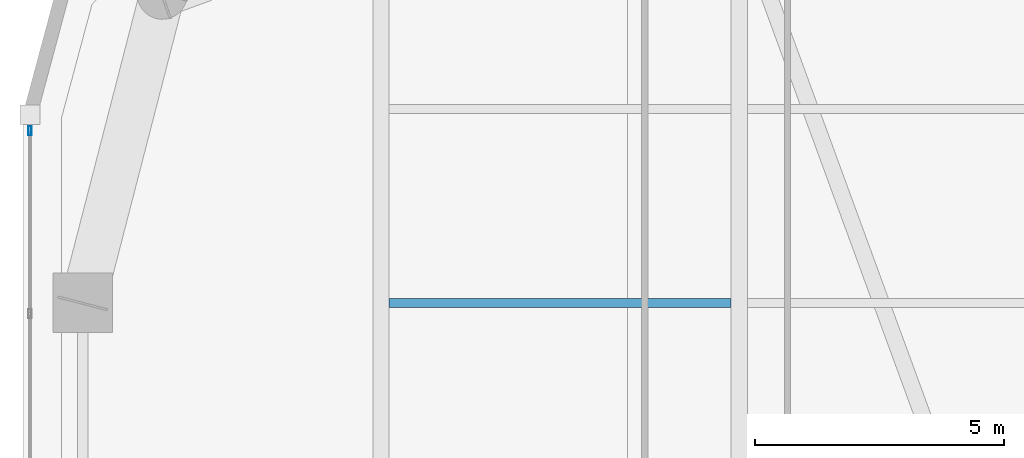
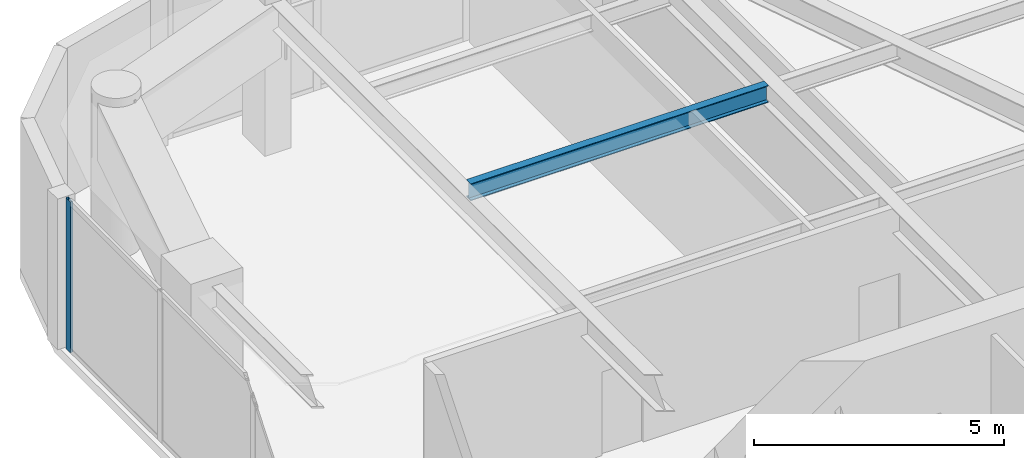
# One storey, part 8 of 21: 1 beam, 1 member, 1 element without a shape of its own.
"""IFC4 building model written with IfcOpenShell, lengths in metres."""

import ifcopenshell
import ifcopenshell.guid

model = None  # the IFC model being written
_history = None  # IfcOwnerHistory: only IFC2X3 demands one
_inside = {}  # id of a spatial element -> (the spatial element, [elements in it])
_under = {}  # id of a project, library or spatial element -> (it, [spatial elements below it])
_declared = {}  # id of a project -> (the project, [libraries it declares])
_typed = {}  # id of a type object -> (the type object, [elements of that type])
_made_of = {}  # id of a material, layer set ... -> (it, [elements and type objects made of it])


def new_model(schema):
    """Start an empty IFC model of exactly this schema.

    Asked for "IFC4X3", IfcOpenShell would pick the latest addendum, in which some entities
    have other attributes; the version numbers below select the first issue.
    IFC2X3 requires an IfcOwnerHistory on every rooted entity: one is made here for all.
    """
    global model, _history
    if schema == "IFC4X3":
        model = ifcopenshell.file(schema_version=(4, 3, 0, 0))
    else:
        model = ifcopenshell.file(schema=schema)
    _inside.clear()
    _under.clear()
    _declared.clear()
    _typed.clear()
    _made_of.clear()
    _history = None
    if model.schema == "IFC2X3":
        org = make("IfcOrganization", Name="unknown")
        user = make(
            "IfcPersonAndOrganization",
            ThePerson=make("IfcPerson", FamilyName="unknown"),
            TheOrganization=org,
        )
        app = make(
            "IfcApplication",
            ApplicationDeveloper=org,
            Version="unknown",
            ApplicationFullName="unknown",
            ApplicationIdentifier="unknown",
        )
        _history = make(
            "IfcOwnerHistory",
            OwningUser=user,
            OwningApplication=app,
            ChangeAction="ADDED",
            CreationDate=0,
        )
    return model


def make(cls, **values):
    """One entity of the class cls with the attributes given. An attribute that is None is left unset."""
    return model.create_entity(
        cls, **{name: value for name, value in values.items() if value is not None}
    )


def rooted(cls, **values):
    """An entity with a GlobalId (a new one), such as an element, a storey or a relation."""
    return make(cls, GlobalId=ifcopenshell.guid.new(), OwnerHistory=_history, **values)


def si_unit(unit_type, name, prefix=None):
    """IfcSIUnit, for example si_unit("LENGTHUNIT", "METRE", prefix="MILLI")."""
    return make("IfcSIUnit", UnitType=unit_type, Prefix=prefix, Name=name)


def assignment(units):
    """IfcUnitAssignment: the units of a project."""
    return None if units is None else make("IfcUnitAssignment", Units=units)


def point(xyz):
    """IfcCartesianPoint."""
    return None if xyz is None else make("IfcCartesianPoint", Coordinates=xyz)


def direction(xyz):
    """IfcDirection."""
    return None if xyz is None else make("IfcDirection", DirectionRatios=xyz)


def frame(location, z_axis=None, x_axis=None):
    """IfcAxis2Placement3D, a coordinate frame: its origin and axes. An axis left out is left unset."""
    return make(
        "IfcAxis2Placement3D",
        Location=point(location),
        Axis=direction(z_axis),
        RefDirection=direction(x_axis),
    )


def frame_2d(location, x_axis=None):
    """IfcAxis2Placement2D, a coordinate frame in the plane: its origin and x axis."""
    return make(
        "IfcAxis2Placement2D", Location=point(location), RefDirection=direction(x_axis)
    )


def origin():
    """The frame at (0, 0, 0) with its axes left unset."""
    return frame((0.0, 0.0, 0.0))


def origin_2d():
    """The frame at (0, 0) in the plane with its x axis left unset."""
    return frame_2d((0.0, 0.0))


def place(relative_to, where):
    """IfcLocalPlacement: puts the frame where relative to a parent placement (None: the world)."""
    return make(
        "IfcLocalPlacement", PlacementRelTo=relative_to, RelativePlacement=where
    )


def context(
    kind, dimensions, precision=None, world=None, true_north=None, identifier=None
):
    """IfcGeometricRepresentationContext, for example the 3D "Model" context."""
    return make(
        "IfcGeometricRepresentationContext",
        ContextIdentifier=identifier,
        ContextType=kind,
        CoordinateSpaceDimension=dimensions,
        Precision=precision,
        WorldCoordinateSystem=world,
        TrueNorth=true_north,
    )


def subcontext(parent, identifier, kind, view, scale=None):
    """IfcGeometricRepresentationSubContext, for example "Body" below "Model"."""
    return make(
        "IfcGeometricRepresentationSubContext",
        ContextIdentifier=identifier,
        ContextType=kind,
        ParentContext=parent,
        TargetScale=scale,
        TargetView=view,
    )


def project(units=None, contexts=None):
    """IfcProject with its units and contexts."""
    return rooted(
        "IfcProject",
        Name="project",
        RepresentationContexts=contexts,
        UnitsInContext=assignment(units),
    )


def spatial(cls, under=None, at=None, **own):
    """A site, building, storey or space (cls), placed at a placement, below another one or the project."""
    s = rooted(cls, ObjectPlacement=at, **own)
    if under is not None:
        _under.setdefault(under.id(), (under, []))[1].append(s)
    return s


def profile(cls, at=None, kind="AREA", **sizes):
    """A parametric profile (cls). Its sizes go by their IFC names, for example OverallWidth=200.0."""
    return make(cls, ProfileType=kind, Position=at, **sizes)


def hollow_rectangle(**sizes):
    """IfcRectangleHollowProfileDef."""
    return profile("IfcRectangleHollowProfileDef", **sizes)


def i_section(**sizes):
    """IfcIShapeProfileDef."""
    return profile("IfcIShapeProfileDef", **sizes)


def extrude(swept, where, along, depth):
    """IfcExtrudedAreaSolid: the profile swept, set in the frame where, extruded along a direction by depth."""
    return make(
        "IfcExtrudedAreaSolid",
        SweptArea=swept,
        Position=where,
        ExtrudedDirection=direction(along),
        Depth=depth,
    )


def shape(context_of_items, identifier, shape_type, items):
    """IfcShapeRepresentation: the items that make up one representation, for example the "Body"."""
    return make(
        "IfcShapeRepresentation",
        ContextOfItems=context_of_items,
        RepresentationIdentifier=identifier,
        RepresentationType=shape_type,
        Items=items,
    )


def material(Name=None, Category=None):
    """IfcMaterial."""
    return make("IfcMaterial", Name=Name, Category=Category)


def layer(
    of_material, thickness, ventilated=None, Name=None, Category=None, Priority=None
):
    """IfcMaterialLayer: one layer of a wall or slab, of a material (None: an air gap)."""
    return make(
        "IfcMaterialLayer",
        Material=of_material,
        LayerThickness=thickness,
        IsVentilated=ventilated,
        Name=Name,
        Category=Category,
        Priority=Priority,
    )


def layer_set(layers, Name=None):
    """IfcMaterialLayerSet."""
    return make("IfcMaterialLayerSet", MaterialLayers=layers, LayerSetName=Name)


def material_profile(
    of_material, cross_section, Name=None, Category=None, Priority=None
):
    """IfcMaterialProfile: a cross section and its material."""
    return make(
        "IfcMaterialProfile",
        Name=Name,
        Material=of_material,
        Profile=cross_section,
        Priority=Priority,
        Category=Category,
    )


def profile_set(profiles, Name=None, composite=None):
    """IfcMaterialProfileSet."""
    return make(
        "IfcMaterialProfileSet",
        Name=Name,
        MaterialProfiles=profiles,
        CompositeProfile=composite,
    )


def made_of(thing, what):
    """Note that an element or type object is made of a material, layer set ...; save() writes the relation."""
    if what is not None:
        _made_of.setdefault(what.id(), (what, []))[1].append(thing)
    return thing


def type_object(cls, material=None, **own):
    """A type object (cls), such as IfcWallType, which elements share."""
    return made_of(rooted(cls, **own), material)


def element(
    cls,
    number,
    at=None,
    inside=None,
    cuts=None,
    type_object=None,
    material=None,
    context=None,
    identifier="Body",
    shape_type=None,
    held_by="IfcProductDefinitionShape",
    body=None,
    shapes=None,
    **own,
):
    """One element of the class cls, such as IfcWall. Its Tag is "e" and its number.

    at: its placement. inside: the storey or other place that contains it. cuts: it is an
    opening in that element (IfcRelVoidsElement). A single representation is given by context,
    identifier, shape_type and body (its items); several are given by shapes. held_by: the class
    of the entity that holds the representations. save() writes the other relations.
    """
    e = rooted(cls, Tag="e%d" % number, ObjectPlacement=at, **own)
    if body is not None:
        shapes = [shape(context, identifier, shape_type, body)]
    if shapes is not None:
        e.Representation = make(held_by, Representations=shapes)
    if inside is not None:
        _inside.setdefault(inside.id(), (inside, []))[1].append(e)
    if cuts is not None:
        rooted(
            "IfcRelVoidsElement", RelatingBuildingElement=cuts, RelatedOpeningElement=e
        )
    if type_object is not None:
        _typed.setdefault(type_object.id(), (type_object, []))[1].append(e)
    return made_of(e, material)


def aggregate(whole, parts):
    """IfcRelAggregates: a whole, such as a stair, and the parts it consists of."""
    return rooted("IfcRelAggregates", RelatingObject=whole, RelatedObjects=parts)


def save(model, path):
    """Write the relations noted so far, then the file.

    IfcRelAggregates (storeys below a building ...), IfcRelContainedInSpatialStructure (elements
    in a storey), IfcRelDefinesByType, IfcRelAssociatesMaterial and IfcRelDeclares: one each for
    every whole, place, type object, material and project.
    """
    for whole, parts in _under.values():
        aggregate(whole, parts)
    for where, things in _inside.values():
        rooted(
            "IfcRelContainedInSpatialStructure",
            RelatedElements=things,
            RelatingStructure=where,
        )
    for kind, things in _typed.values():
        rooted("IfcRelDefinesByType", RelatedObjects=things, RelatingType=kind)
    for what, things in _made_of.values():
        rooted("IfcRelAssociatesMaterial", RelatedObjects=things, RelatingMaterial=what)
    for by, libraries in _declared.values():
        rooted("IfcRelDeclares", RelatingContext=by, RelatedDefinitions=libraries)
    model.write(path)


model = new_model("IFC4")

# Units and contexts
model_context = context("Model", 3, precision=1e-05, world=origin(), true_north=direction((0.0, 1.0)))
body_context = subcontext(model_context, "Body", "Model", "MODEL_VIEW")
ifc_project = project(units=[si_unit("LENGTHUNIT", "METRE"), si_unit("AREAUNIT", "SQUARE_METRE"), si_unit("VOLUMEUNIT", "CUBIC_METRE"), si_unit("PLANEANGLEUNIT", "RADIAN"), si_unit("MASSUNIT", "GRAM", prefix="KILO")], contexts=[model_context])

# Site, building, storey
site_placement = place(None, origin())
site = spatial("IfcSite", under=ifc_project, at=site_placement, CompositionType="ELEMENT")
building_placement = place(site_placement, origin())
building = spatial("IfcBuilding", under=site, at=building_placement, Name="Kiyonajd Concourse Tower", CompositionType="ELEMENT")
storey_placement = place(building_placement, frame((0.0, 0.0, 223.199951171875)))
storey = spatial("IfcBuildingStorey", under=building, at=storey_placement, Name="L56", CompositionType="ELEMENT", Elevation=223.199951171875)

# Beam
ifc_material_1 = material(Name="Steel ASTM A992 Grade 50", Category="steel")
ifc_material_profile_1 = material_profile(ifc_material_1, i_section(OverallWidth=0.180908203125, OverallDepth=0.4169921875, WebThickness=0.010986328125, FlangeThickness=0.018310546875, at=origin_2d()), Name="W410X85")
ifc_profile_set_1 = profile_set([ifc_material_profile_1], Name="Steel ASTM A992 Grade 50")
beam_type = type_object("IfcBeamType", Name="BM-JST-410", PredefinedType="JOIST", material=ifc_profile_set_1)
beam_placement = place(storey_placement, frame((32.56201171875, 53.39990234375, 3.471435546875), z_axis=(1.0, 0.0, 0.0), x_axis=(0.0, 1.0, 0.0)))
element("IfcBeam", 1, at=beam_placement, inside=storey, type_object=beam_type, Name="L56 Secondary Floor Joist", PredefinedType="JOIST", context=body_context, shape_type="SweptSolid", body=[
    extrude(i_section(OverallWidth=0.180908203125, OverallDepth=0.4169921875, WebThickness=0.010986328125, FlangeThickness=0.018310546875, at=origin_2d()), origin(), (0.0, 0.0, 1.0), 6.8759765625),
])

# Curtain wall, member
ifc_material_2 = material(Name="Thermally Broken Anodised Aluminium", Category="aluminium")
ifc_layer = layer(ifc_material_2, 0.179931640625)
ifc_layer_set = layer_set([ifc_layer], Name="Thermally Broken Anodised Aluminium")
curtain_wall_type = type_object("IfcCurtainWallType", Name="CW-SYS-04", PredefinedType="NOTDEFINED", material=ifc_layer_set)
curtain_wall_placement = place(storey_placement, origin())
curtain_wall = element("IfcCurtainWall", 2, at=curtain_wall_placement, inside=storey, type_object=curtain_wall_type, Name="L56 Unitised Curtain Wall CW4", PredefinedType="NOTDEFINED")
ifc_material_profile_2 = material_profile(ifc_material_2, hollow_rectangle(XDim=0.06494140625, YDim=0.179931640625, WallThickness=0.00390625, at=origin_2d()), Name="MULL-65x180")
ifc_profile_set_2 = profile_set([ifc_material_profile_2], Name="Thermally Broken Anodised Aluminium")
member_type = type_object("IfcMemberType", Name="MB-CW-MULL1", PredefinedType="MULLION", material=ifc_profile_set_2)
member_placement = place(storey_placement, frame((25.340087890625, 56.859130859375, 0.0), z_axis=(0.0, 0.0, 1.0), x_axis=(-1.0, 0.0, 0.0)))
member = element("IfcMember", 3, at=member_placement, type_object=member_type, Name="CW4 mullion 7", PredefinedType="MULLION", context=body_context, shape_type="SweptSolid", body=[
    extrude(hollow_rectangle(XDim=0.06494140625, YDim=0.179931640625, WallThickness=0.00390625, at=origin_2d()), origin(), (0.0, 0.0, 1.0), 3.679931640625),
])
aggregate(curtain_wall, [member])

save(model, "model.ifc")
